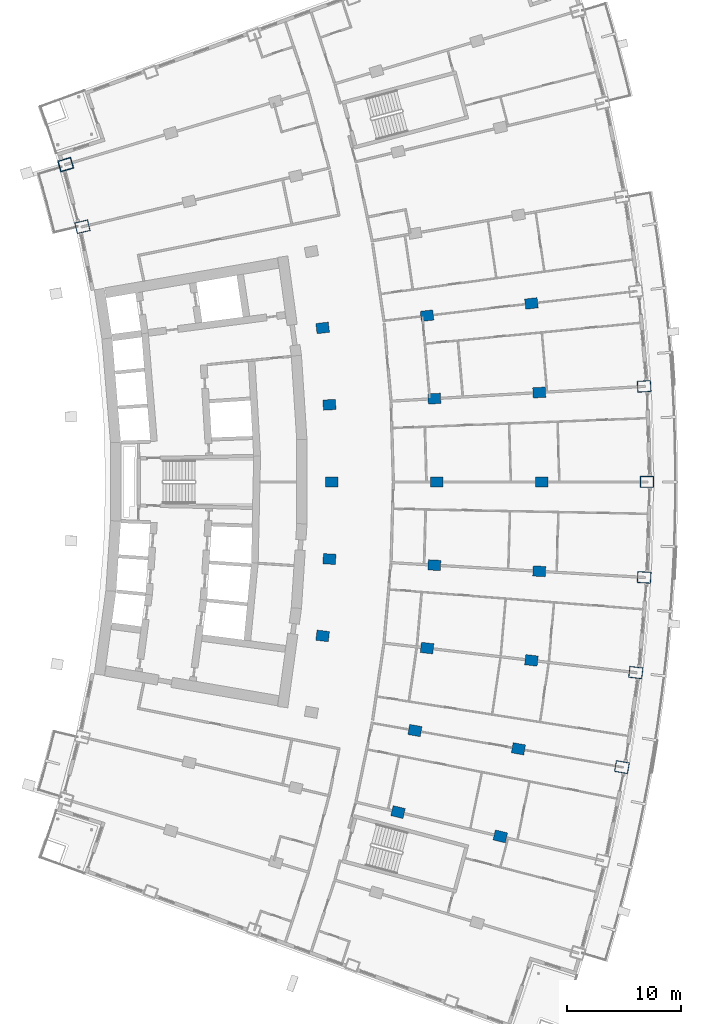
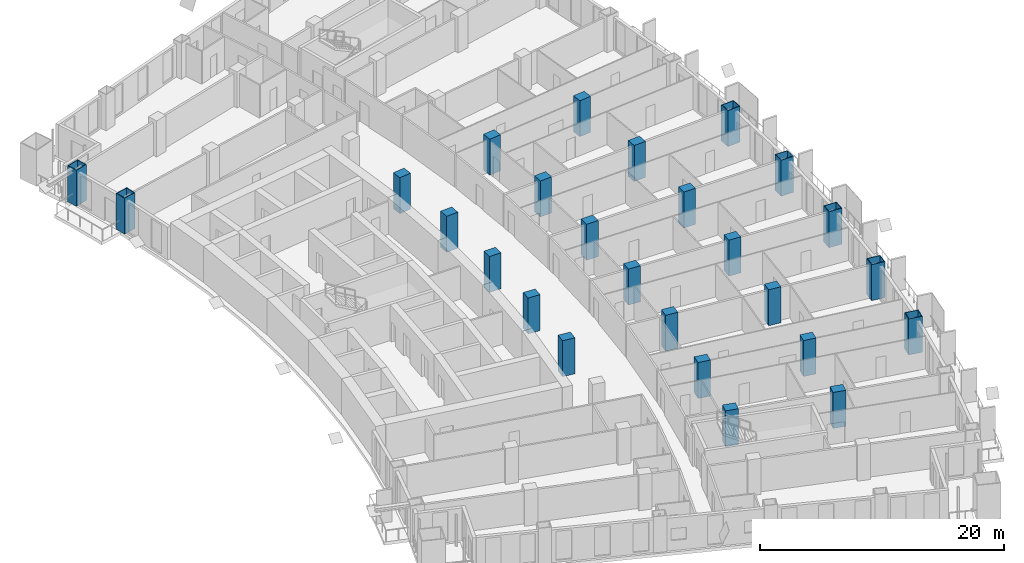
# One storey, part 6 of 24: 26 columns.
"""IFC4 building model written with IfcOpenShell, lengths in metres."""

from ifc_helpers import new_model, si_unit, direction, frame, origin, origin_2d, place, context, subcontext, project, spatial, rectangle, hollow_rectangle, extrude, material, material_profile, profile_set, type_object, element, save


model = new_model("IFC4")

# Units and contexts
model_context = context("Model", 3, precision=1e-05, world=origin(), true_north=direction((0.0, 1.0)))
body_context = subcontext(model_context, "Body", "Model", "MODEL_VIEW")
ifc_project = project(units=[si_unit("LENGTHUNIT", "METRE"), si_unit("AREAUNIT", "SQUARE_METRE"), si_unit("VOLUMEUNIT", "CUBIC_METRE"), si_unit("PLANEANGLEUNIT", "RADIAN"), si_unit("MASSUNIT", "GRAM", prefix="KILO")], contexts=[model_context])

# Site, building, storey
site_placement = place(None, origin())
site = spatial("IfcSite", under=ifc_project, at=site_placement, CompositionType="ELEMENT")
building_placement = place(site_placement, origin())
building = spatial("IfcBuilding", under=site, at=building_placement, Name="Alderwake Tower", CompositionType="ELEMENT")
storey_placement = place(building_placement, frame((0.0, 0.0, 39.199951171875)))
storey = spatial("IfcBuildingStorey", under=building, at=storey_placement, Name="L08", CompositionType="ELEMENT", Elevation=39.199951171875)

# Columns
ifc_material_1 = material(Name="Concrete C70/85", Category="concrete")
ifc_material_profile_1 = material_profile(ifc_material_1, rectangle(XDim=0.89990234375, YDim=1.10009765625, at=origin_2d()), Name="RC 1100X900")
ifc_profile_set_1 = profile_set([ifc_material_profile_1], Name="Concrete C70/85")
column_type_1 = type_object("IfcColumnType", Name="Interior column Z1", PredefinedType="COLUMN", material=ifc_profile_set_1)
for number, where, z_axis, x_axis, name in (
    (1, (41.612548828125, 32.097412109375, 0.0), (0.0, 0.0, 1.0), (0.231221547198, 0.972901123502, 0.0), "Column R03-C3"),
    (2, (50.563232421875, 29.969970703125, 0.0), (0.0, 0.0, 1.0), (0.231221547198, 0.972901123502, 0.0), "Column R03-C4"),
    (3, (43.0908203125, 39.236572265625, 0.0), (0.0, 0.0, 1.0), (0.174108800747, 0.984726421654, 0.0), "Column R04-C3"),
    (4, (52.150390625, 37.634765625, 0.0), (0.0, 0.0, 1.0), (0.174108800747, 0.984726421654, 0.0), "Column R04-C4"),
    (5, (35.0126953125, 47.5205078125, 0.0), (0.0, 0.0, 1.0), (0.116402054316, 0.993202175668, 0.0), "Column R05-C2"),
    (6, (44.150390625, 46.44970703125, 0.0), (0.0, 0.0, 1.0), (0.116402054316, 0.993202175668, 0.0), "Column R05-C3"),
    (7, (53.28759765625, 45.37890625, 0.0), (0.0, 0.0, 1.0), (0.116402054316, 0.993202175668, 0.0), "Column R05-C4"),
    (8, (35.60302734375, 54.248779296875, 0.0), (0.0, 0.0, 1.0), (0.058301061284, 0.998299046505, 0.0), "Column R06-C2"),
    (9, (44.787353515625, 53.71240234375, 0.0), (0.0, 0.0, 1.0), (0.058299318924, 0.998299148258, 0.0), "Column R06-C3"),
    (10, (53.9716796875, 53.176025390625, 0.0), (0.0, 0.0, 1.0), (0.058301061284, 0.998299046505, 0.0), "Column R06-C4"),
    (11, (35.800048828125, 61.0, 0.0), (0.0, 0.0, 1.0), (0.0, 1.0, 0.0), "Column R07-C2"),
    (12, (45.0, 61.0, 0.0), (0.0, 0.0, 1.0), (0.0, 1.0, 0.0), "Column R07-C3"),
    (13, (54.199951171875, 61.0, 0.0), (0.0, 0.0, 1.0), (0.0, 1.0, 0.0), "Column R07-C4"),
    (14, (35.60302734375, 67.751220703125, 0.0), (0.0, 0.0, 1.0), (-0.058301061284, 0.998299046505, 0.0), "Column R08-C2"),
    (15, (44.787353515625, 68.28759765625, 0.0), (0.0, 0.0, 1.0), (-0.058299318924, 0.998299148258, 0.0), "Column R08-C3"),
    (16, (53.9716796875, 68.823974609375, 0.0), (0.0, 0.0, 1.0), (-0.058301061284, 0.998299046505, 0.0), "Column R08-C4"),
    (17, (35.0126953125, 74.4794921875, 0.0), (0.0, 0.0, 1.0), (-0.116402054316, 0.993202175668, 0.0), "Column R09-C2"),
    (18, (44.150390625, 75.55029296875, 0.0), (0.0, 0.0, 1.0), (-0.116402054316, 0.993202175668, 0.0), "Column R09-C3"),
    (19, (53.28759765625, 76.62109375, 0.0), (0.0, 0.0, 1.0), (-0.116402054316, 0.993202175668, 0.0), "Column R09-C4"),
):
    element("IfcColumn", number, at=place(storey_placement, frame(where, z_axis=z_axis, x_axis=x_axis)), inside=storey, type_object=column_type_1, Name=name, PredefinedType="COLUMN", context=body_context, shape_type="SweptSolid", body=[
        extrude(rectangle(XDim=0.89990234375, YDim=1.10009765625, at=origin_2d()), origin(), (0.0, 0.0, 1.0), 3.60009765625),
    ])
ifc_material_2 = material(Name="Steel ASTM A572 Grade 50 concrete filled C70/85", Category="concrete")
ifc_material_profile_2 = material_profile(ifc_material_2, hollow_rectangle(XDim=1.0, YDim=1.199951171875, WallThickness=0.06005859375, at=origin_2d()), Name="BOX 1200X1000X60")
ifc_profile_set_2 = profile_set([ifc_material_profile_2], Name="Steel ASTM A572 Grade 50 concrete filled C70/85")
column_type_2 = type_object("IfcColumnType", Name="Perimeter column Z1", PredefinedType="COLUMN", material=ifc_profile_set_2)
for number, where, z_axis, x_axis, name in (
    (20, (61.209716796875, 36.032958984375, 0.0), (0.0, 0.0, 1.0), (0.174108800747, 0.984726421654, 0.0), "Column R04-C5"),
    (21, (62.42529296875, 44.307861328125, 0.0), (0.0, 0.0, 1.0), (0.116402054316, 0.993202175668, 0.0), "Column R05-C5"),
    (22, (63.156005859375, 52.6396484375, 0.0), (0.0, 0.0, 1.0), (0.058301061284, 0.998299046505, 0.0), "Column R06-C5"),
    (23, (63.39990234375, 61.0, 0.0), (0.0, 0.0, 1.0), (0.0, 1.0, 0.0), "Column R07-C5"),
    (24, (63.156005859375, 69.3603515625, 0.0), (0.0, 0.0, 1.0), (-0.058301061284, 0.998299046505, 0.0), "Column R08-C5"),
    (25, (13.982177734375, 83.3359375, 0.0), (0.0, 0.0, 1.0), (-0.231221547198, 0.972901123502, 0.0), "Column R11-C0"),
    (26, (12.520263671875, 88.777099609375, 0.0), (0.0, 0.0, 1.0), (-0.287549418125, 0.957765802342, 0.0), "Column R12-C0"),
):
    element("IfcColumn", number, at=place(storey_placement, frame(where, z_axis=z_axis, x_axis=x_axis)), inside=storey, type_object=column_type_2, Name=name, PredefinedType="COLUMN", context=body_context, shape_type="SweptSolid", body=[
        extrude(hollow_rectangle(XDim=1.0, YDim=1.199951171875, WallThickness=0.06005859375, at=origin_2d()), origin(), (0.0, 0.0, 1.0), 3.60009765625),
    ])

save(model, "model.ifc")
